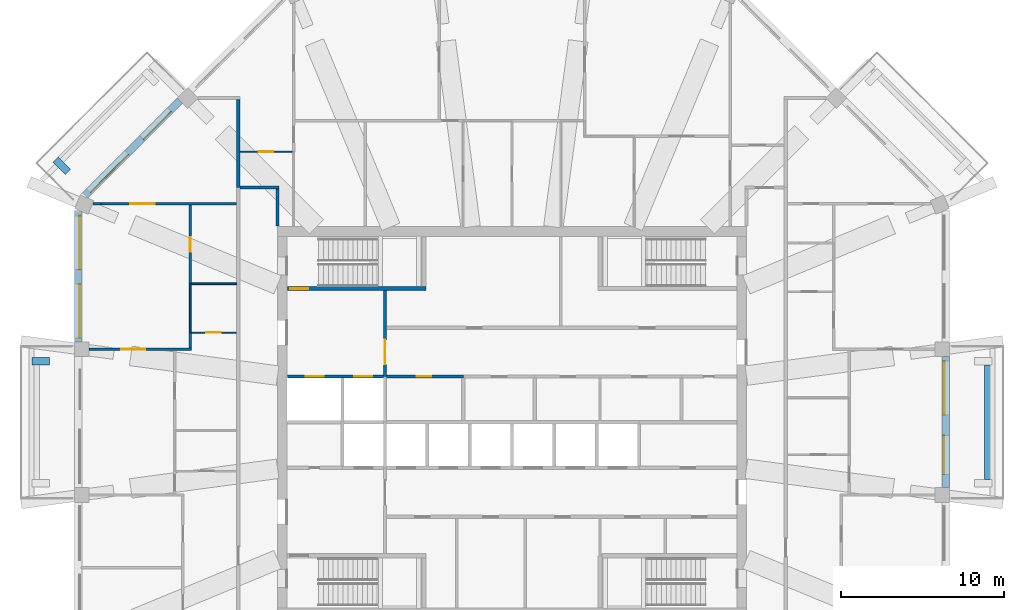
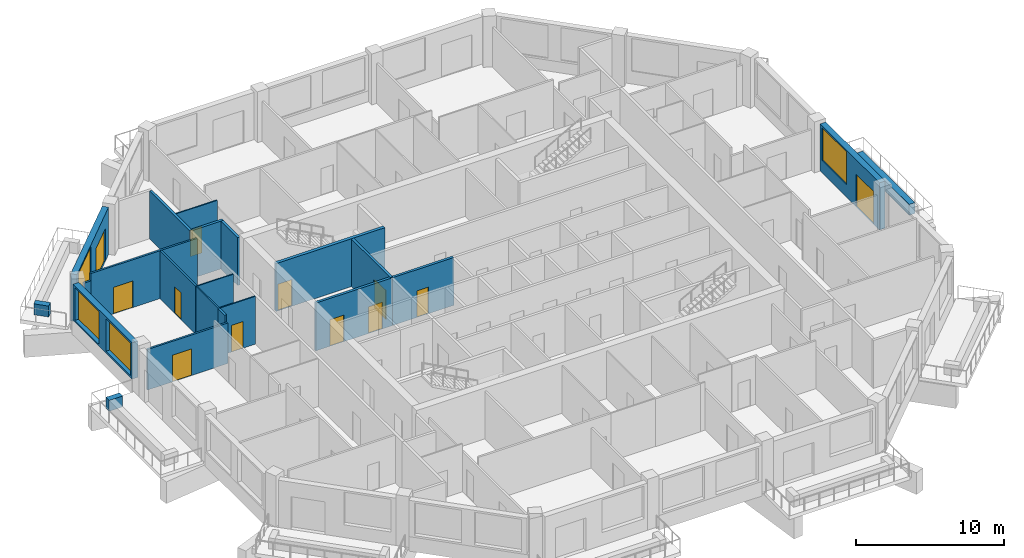
# One storey, part 7 of 12: 22 walls, 12 doors, 4 windows, 16 openings.
"""IFC4 building model written with IfcOpenShell, lengths in metres."""

from ifc_helpers import new_model, si_unit, direction, frame, frame_2d, origin, place, context, subcontext, project, spatial, rectangle, extrude, material, layer, layer_set, type_object, element, fill, save


model = new_model("IFC4")

# Units and contexts
model_context = context("Model", 3, precision=1e-05, world=origin(), true_north=direction((0.0, 1.0)))
body_context = subcontext(model_context, "Body", "Model", "MODEL_VIEW")
ifc_project = project(units=[si_unit("LENGTHUNIT", "METRE"), si_unit("AREAUNIT", "SQUARE_METRE"), si_unit("VOLUMEUNIT", "CUBIC_METRE"), si_unit("PLANEANGLEUNIT", "RADIAN"), si_unit("MASSUNIT", "GRAM", prefix="KILO")], contexts=[model_context])

# Site, building, storey
site_placement = place(None, origin())
site = spatial("IfcSite", under=ifc_project, at=site_placement, CompositionType="ELEMENT")
building_placement = place(site_placement, origin())
building = spatial("IfcBuilding", under=site, at=building_placement, Name="Msitu Wima Residences", CompositionType="ELEMENT")
storey_placement = place(building_placement, frame((0.0, 0.0, 213.89990234375)))
storey = spatial("IfcBuildingStorey", under=building, at=storey_placement, Name="L49", CompositionType="ELEMENT", Elevation=213.89990234375)

# Walls
ifc_material_1 = material(Name="Facing brick")
ifc_layer_1 = layer(ifc_material_1, 0.06494140625, Name="Facing brick")
ifc_material_2 = material(Name="Concrete C40/50", Category="concrete")
ifc_layer_2 = layer(ifc_material_2, 0.156005859375, Name="Concrete C40/50")
ifc_material_3 = material(Name="Waterproofing membrane")
ifc_layer_3 = layer(ifc_material_3, 0.00390625, Name="Waterproofing membrane")
ifc_material_4 = material(Name="Planting soil and planting")
ifc_layer_4 = layer(ifc_material_4, 0.22509765625, Name="Planting soil and planting")
ifc_layer_set_1 = layer_set([ifc_layer_1, ifc_layer_2, ifc_layer_3, ifc_layer_4], Name="Concrete C40/50")
wall_type_1 = type_object("IfcWallType", Name="Balcony planter PLANTER PL450", PredefinedType="USERDEFINED", material=ifc_layer_set_1)
wall_1_placement = place(storey_placement, frame((29.22509765625, -3.5185546875, 0.0), z_axis=(0.0, 0.0, 1.0), x_axis=(0.0, 1.0, 0.0)))
element("IfcWall", 1, at=wall_1_placement, inside=storey, type_object=wall_type_1, Name="Balcony planter E1 L49", ObjectType="PLANTER", PredefinedType="USERDEFINED", context=body_context, shape_type="SweptSolid", body=[
    extrude(rectangle(XDim=7.037109375, YDim=0.449951171875, at=frame_2d((3.5185546875, 0.0))), origin(), (0.0, 0.0, 1.0), 0.900146484375),
])
for number, where, z_axis, x_axis, name in (
    (2, (-27.26611328125, 15.3681640625, 0.0), (0.0, 0.0, 1.0), (-0.707223014731, 0.706990528533, 0.0), "Balcony planter NW1 L49"),
    (3, (-28.39990234375, 3.74365234375, 0.0), (0.0, 0.0, 1.0), (-1.0, 0.0, 0.0), "Balcony planter W1 L49"),
):
    element("IfcWall", number, at=place(storey_placement, frame(where, z_axis=z_axis, x_axis=x_axis)), inside=storey, type_object=wall_type_1, Name=name, ObjectType="PLANTER", PredefinedType="USERDEFINED", context=body_context, shape_type="SweptSolid", body=[
        extrude(rectangle(XDim=1.050048828125, YDim=0.449951171875, at=frame_2d((0.52490234375, 0.0))), origin(), (0.0, 0.0, 1.0), 0.900146484375),
    ])

# Wall, openings, door, window
ifc_material_5 = material(Name="Brick (red buff mix)", Category="masonry")
ifc_layer_5 = layer(ifc_material_5, 0.449951171875)
ifc_layer_set_2 = layer_set([ifc_layer_5], Name="Brick (red buff mix)")
wall_type_2 = type_object("IfcWallType", Name="Brick infill wall BW450", PredefinedType="SOLIDWALL", material=ifc_layer_set_2)
wall_2_placement = place(storey_placement, frame((26.625, -4.0185546875, 0.0), z_axis=(0.0, 0.0, 1.0), x_axis=(0.0, 1.0, 0.0)))
wall_2 = element("IfcWall", 4, at=wall_2_placement, inside=storey, type_object=wall_type_2, Name="Brick infill wall L49 E1", PredefinedType="SOLIDWALL", context=body_context, shape_type="SweptSolid", body=[
    extrude(rectangle(XDim=8.037109375, YDim=0.449951171875, at=frame_2d((4.0185546875, 0.0))), origin(), (0.0, 0.0, 1.0), 3.900146484375),
])
opening_1_placement = place(wall_2_placement, frame((0.809326171875, 0.0, 0.0)))
opening_1 = element("IfcOpeningElement", 5, at=opening_1_placement, cuts=wall_2, Name="Opening D49.001", PredefinedType="OPENING", context=body_context, shape_type="SweptSolid", body=[
    extrude(rectangle(XDim=2.39990234375, YDim=2.699951171875, at=frame_2d((1.199951171875, 1.35009765625))), frame((0.0, 0.23486328125, 0.0), z_axis=(0.0, -1.0, 0.0), x_axis=(1.0, 0.0, 0.0)), (0.0, 0.0, 1.0), 0.469970703125),
])
opening_2_placement = place(wall_2_placement, frame((4.46875, 0.0, 1.050048828125)))
opening_2 = element("IfcOpeningElement", 6, at=opening_2_placement, cuts=wall_2, Name="Opening W49.003", PredefinedType="OPENING", context=body_context, shape_type="SweptSolid", body=[
    extrude(rectangle(XDim=3.300048828125, YDim=2.699951171875, at=frame_2d((1.64990234375, 1.35009765625))), frame((0.0, 0.23486328125, 0.0), z_axis=(0.0, -1.0, 0.0), x_axis=(1.0, 0.0, 0.0)), (0.0, 0.0, 1.0), 0.469970703125),
])
ifc_material_6 = material(Name="Anodised aluminium, bronze finish, clear low-emissivity double glazing", Category="aluminium")
door_type_1 = type_object("IfcDoorType", Name="Balcony door D2400x2700", OperationType="SLIDING_TO_LEFT", PredefinedType="DOOR", material=ifc_material_6)
door_1_placement = place(opening_1_placement, origin())
door_1 = element("IfcDoor", 7, at=door_1_placement, inside=storey, type_object=door_type_1, Name="Balcony door L49 E1", OperationType="SINGLE_SWING_LEFT", OverallHeight=2.699951171875, OverallWidth=2.39990234375, PredefinedType="DOOR", context=body_context, shape_type="SweptSolid", body=[
    extrude(rectangle(XDim=2.39990234375, YDim=2.699951171875, at=frame_2d((1.199951171875, 1.35009765625))), frame((0.0, 0.1298828125, 0.0), z_axis=(0.0, -1.0, 0.0), x_axis=(1.0, 0.0, 0.0)), (0.0, 0.0, 1.0), 0.050048828125),
])
fill(opening_1, door_1)
window_type = type_object("IfcWindowType", Name="Window W3300x2700", PartitioningType="DOUBLE_PANEL_VERTICAL", PredefinedType="WINDOW", material=ifc_material_6)
window_1_placement = place(opening_2_placement, origin())
window_1 = element("IfcWindow", 8, at=window_1_placement, inside=storey, type_object=window_type, Name="Window L49 E1.2", OverallHeight=2.699951171875, OverallWidth=3.300048828125, PartitioningType="SINGLE_PANEL", PredefinedType="WINDOW", context=body_context, shape_type="SweptSolid", body=[
    extrude(rectangle(XDim=3.300048828125, YDim=2.699951171875, at=frame_2d((1.64990234375, 1.35009765625))), frame((0.0, 0.135009765625, 0.0), z_axis=(0.0, -1.0, 0.0), x_axis=(1.0, 0.0, 0.0)), (0.0, 0.0, 1.0), 0.06005859375),
])
fill(opening_2, window_1)

wall_3_placement = place(storey_placement, frame((-20.380126953125, 19.743896484375, 0.0), z_axis=(0.0, 0.0, 1.0), x_axis=(-0.707106781187, -0.707106781187, 0.0)))
wall_3 = element("IfcWall", 9, at=wall_3_placement, inside=storey, type_object=wall_type_2, Name="Brick infill wall L49 NW1", PredefinedType="SOLIDWALL", context=body_context, shape_type="SweptSolid", body=[
    extrude(rectangle(XDim=8.251220703125, YDim=0.449951171875, at=frame_2d((4.12548828125, 0.0))), origin(), (0.0, 0.0, 1.0), 3.900146484375),
])
opening_3_placement = place(wall_3_placement, frame((0.86279296875, 0.0, 0.0)))
opening_3 = element("IfcOpeningElement", 10, at=opening_3_placement, cuts=wall_3, Name="Opening D49.005", PredefinedType="OPENING", context=body_context, shape_type="SweptSolid", body=[
    extrude(rectangle(XDim=2.39990234375, YDim=2.699951171875, at=frame_2d((1.199951171875, 1.35009765625))), frame((0.0, 0.23486328125, 0.0), z_axis=(0.0, -1.0, 0.0), x_axis=(1.0, 0.0, 0.0)), (0.0, 0.0, 1.0), 0.469970703125),
])
opening_4_placement = place(wall_3_placement, frame((4.57568359375, 0.0, 1.050048828125)))
opening_4 = element("IfcOpeningElement", 11, at=opening_4_placement, cuts=wall_3, Name="Opening W49.015", PredefinedType="OPENING", context=body_context, shape_type="SweptSolid", body=[
    extrude(rectangle(XDim=3.300048828125, YDim=2.699951171875, at=frame_2d((1.64990234375, 1.35009765625))), frame((0.0, 0.23486328125, 0.0), z_axis=(0.0, -1.0, 0.0), x_axis=(1.0, 0.0, 0.0)), (0.0, 0.0, 1.0), 0.469970703125),
])
door_2_placement = place(opening_3_placement, origin())
door_2 = element("IfcDoor", 12, at=door_2_placement, inside=storey, type_object=door_type_1, Name="Balcony door L49 NW1", OperationType="SINGLE_SWING_LEFT", OverallHeight=2.699951171875, OverallWidth=2.39990234375, PredefinedType="DOOR", context=body_context, shape_type="SweptSolid", body=[
    extrude(rectangle(XDim=2.39990234375, YDim=2.699951171875, at=frame_2d((1.199951171875, 1.35009765625))), frame((0.0, 0.1298828125, 0.0), z_axis=(0.0, -1.0, 0.0), x_axis=(1.0, 0.0, 0.0)), (0.0, 0.0, 1.0), 0.050048828125),
])
fill(opening_3, door_2)
window_2_placement = place(opening_4_placement, origin())
window_2 = element("IfcWindow", 13, at=window_2_placement, inside=storey, type_object=window_type, Name="Window L49 NW1.2", OverallHeight=2.699951171875, OverallWidth=3.300048828125, PartitioningType="SINGLE_PANEL", PredefinedType="WINDOW", context=body_context, shape_type="SweptSolid", body=[
    extrude(rectangle(XDim=3.300048828125, YDim=2.699951171875, at=frame_2d((1.64990234375, 1.35009765625))), frame((0.0, 0.135009765625, 0.0), z_axis=(0.0, -1.0, 0.0), x_axis=(1.0, 0.0, 0.0)), (0.0, 0.0, 1.0), 0.06005859375),
])
fill(opening_4, window_2)

# Wall, openings, windows
wall_4_placement = place(storey_placement, frame((-26.625, 12.918701171875, 0.900146484375), z_axis=(0.0, 0.0, 1.0), x_axis=(0.0, -1.0, 0.0)))
wall_4 = element("IfcWall", 14, at=wall_4_placement, inside=storey, type_object=wall_type_2, Name="Brick infill wall L49 W0", PredefinedType="SOLIDWALL", context=body_context, shape_type="SweptSolid", body=[
    extrude(rectangle(XDim=8.0, YDim=0.449951171875, at=frame_2d((4.0, 0.0))), origin(), (0.0, 0.0, 1.0), 3.0),
])
opening_5_placement = place(wall_4_placement, frame((0.25, 0.0, 0.14990234375)))
opening_5 = element("IfcOpeningElement", 15, at=opening_5_placement, cuts=wall_4, Name="Opening W49.026", PredefinedType="OPENING", context=body_context, shape_type="SweptSolid", body=[
    extrude(rectangle(XDim=3.300048828125, YDim=2.699951171875, at=frame_2d((1.64990234375, 1.35009765625))), frame((0.0, 0.23486328125, 0.0), z_axis=(0.0, -1.0, 0.0), x_axis=(1.0, 0.0, 0.0)), (0.0, 0.0, 1.0), 0.469970703125),
])
opening_6_placement = place(wall_4_placement, frame((4.4501953125, 0.0, 0.14990234375)))
opening_6 = element("IfcOpeningElement", 16, at=opening_6_placement, cuts=wall_4, Name="Opening W49.027", PredefinedType="OPENING", context=body_context, shape_type="SweptSolid", body=[
    extrude(rectangle(XDim=3.300048828125, YDim=2.699951171875, at=frame_2d((1.64990234375, 1.35009765625))), frame((0.0, 0.23486328125, 0.0), z_axis=(0.0, -1.0, 0.0), x_axis=(1.0, 0.0, 0.0)), (0.0, 0.0, 1.0), 0.469970703125),
])
window_3_placement = place(opening_5_placement, origin())
window_3 = element("IfcWindow", 17, at=window_3_placement, inside=storey, type_object=window_type, Name="Window L49 W0.1", OverallHeight=2.699951171875, OverallWidth=3.300048828125, PartitioningType="SINGLE_PANEL", PredefinedType="WINDOW", context=body_context, shape_type="SweptSolid", body=[
    extrude(rectangle(XDim=3.300048828125, YDim=2.699951171875, at=frame_2d((1.64990234375, 1.35009765625))), frame((0.0, 0.135009765625, 0.0), z_axis=(0.0, -1.0, 0.0), x_axis=(1.0, 0.0, 0.0)), (0.0, 0.0, 1.0), 0.06005859375),
])
fill(opening_5, window_3)
window_4_placement = place(opening_6_placement, origin())
window_4 = element("IfcWindow", 18, at=window_4_placement, inside=storey, type_object=window_type, Name="Window L49 W0.2", OverallHeight=2.699951171875, OverallWidth=3.300048828125, PartitioningType="SINGLE_PANEL", PredefinedType="WINDOW", context=body_context, shape_type="SweptSolid", body=[
    extrude(rectangle(XDim=3.300048828125, YDim=2.699951171875, at=frame_2d((1.64990234375, 1.35009765625))), frame((0.0, 0.135009765625, 0.0), z_axis=(0.0, -1.0, 0.0), x_axis=(1.0, 0.0, 0.0)), (0.0, 0.0, 1.0), 0.06005859375),
])
fill(opening_6, window_4)

# Walls
ifc_material_7 = material(Name="Plaster")
ifc_layer_6 = layer(ifc_material_7, 0.011962890625, Name="Plaster")
ifc_material_8 = material(Name="Concrete blockwork", Category="masonry")
ifc_layer_7 = layer(ifc_material_8, 0.176025390625, Name="Concrete blockwork")
ifc_layer_8 = layer(ifc_material_7, 0.011962890625, Name="Plaster")
ifc_layer_set_3 = layer_set([ifc_layer_6, ifc_layer_7, ifc_layer_8], Name="Concrete blockwork")
wall_type_3 = type_object("IfcWallType", Name="Corridor wall FW200", PredefinedType="PARTITIONING", material=ifc_layer_set_3)
wall_5_placement = place(storey_placement, frame((-16.699951171875, 14.39990234375, 0.0), z_axis=(0.0, 0.0, 1.0), x_axis=(1.0, 0.0, 0.0)))
element("IfcWall", 19, at=wall_5_placement, inside=storey, type_object=wall_type_3, Name="Corridor wall", PredefinedType="PARTITIONING", context=body_context, shape_type="SweptSolid", body=[
    extrude(rectangle(XDim=2.39990234375, YDim=0.199951171875, at=frame_2d((1.199951171875, 0.0))), origin(), (0.0, 0.0, 1.0), 3.9501953125),
])
wall_6_placement = place(storey_placement, frame((-14.39990234375, 12.030029296875, 0.0), z_axis=(0.0, 0.0, 1.0), x_axis=(0.0, 1.0, 0.0)))
element("IfcWall", 20, at=wall_6_placement, inside=storey, type_object=wall_type_3, Name="Corridor wall", PredefinedType="PARTITIONING", context=body_context, shape_type="SweptSolid", body=[
    extrude(rectangle(XDim=2.27001953125, YDim=0.199951171875, at=frame_2d((1.135009765625, 0.0))), origin(), (0.0, 0.0, 1.0), 3.9501953125),
])

# Wall, opening, door
wall_7_placement = place(storey_placement, frame((-7.800048828125, 2.800048828125, 0.0), z_axis=(0.0, 0.0, 1.0), x_axis=(1.0, 0.0, 0.0)))
wall_7 = element("IfcWall", 21, at=wall_7_placement, inside=storey, type_object=wall_type_3, Name="Corridor wall", PredefinedType="PARTITIONING", context=body_context, shape_type="SweptSolid", body=[
    extrude(rectangle(XDim=4.820068359375, YDim=0.199951171875, at=frame_2d((2.41015625, 0.0))), origin(), (0.0, 0.0, 1.0), 3.9501953125),
])
opening_7_placement = place(wall_7_placement, frame((1.949951171875, 0.0, 0.0)))
opening_7 = element("IfcOpeningElement", 22, at=opening_7_placement, cuts=wall_7, Name="Opening D49.074", PredefinedType="OPENING", context=body_context, shape_type="SweptSolid", body=[
    extrude(rectangle(XDim=0.89990234375, YDim=2.199951171875, at=frame_2d((0.449951171875, 1.10009765625))), frame((0.0, 0.10986328125, 0.0), z_axis=(0.0, -1.0, 0.0), x_axis=(1.0, 0.0, 0.0)), (0.0, 0.0, 1.0), 0.219970703125),
])
ifc_material_9 = material(Name="Timber flush door", Category="wood")
door_type_2 = type_object("IfcDoorType", Name="Service door D05 900x2200", OperationType="SINGLE_SWING_LEFT", PredefinedType="DOOR", material=ifc_material_9)
door_3_placement = place(opening_7_placement, origin())
door_3 = element("IfcDoor", 23, at=door_3_placement, inside=storey, type_object=door_type_2, Name="Service door", OperationType="SINGLE_SWING_RIGHT", OverallHeight=2.199951171875, OverallWidth=0.89990234375, PredefinedType="DOOR", context=body_context, shape_type="SweptSolid", body=[
    extrude(rectangle(XDim=0.89990234375, YDim=2.199951171875, at=frame_2d((0.449951171875, 1.10009765625))), frame((0.0, 0.02490234375, 0.0), z_axis=(0.0, -1.0, 0.0), x_axis=(1.0, 0.0, 0.0)), (0.0, 0.0, 1.0), 0.050048828125),
])
fill(opening_7, door_3)

wall_8_placement = place(storey_placement, frame((-7.800048828125, 2.800048828125, 0.0), z_axis=(0.0, 0.0, 1.0), x_axis=(0.0, 1.0, 0.0)))
wall_8 = element("IfcWall", 24, at=wall_8_placement, inside=storey, type_object=wall_type_3, Name="Corridor wall", PredefinedType="PARTITIONING", context=body_context, shape_type="SweptSolid", body=[
    extrude(rectangle(XDim=5.27490234375, YDim=0.199951171875, at=frame_2d((2.637451171875, 0.0))), origin(), (0.0, 0.0, 1.0), 3.9501953125),
])
opening_8_placement = place(wall_8_placement, frame((0.75, 0.0, 0.0)))
opening_8 = element("IfcOpeningElement", 25, at=opening_8_placement, cuts=wall_8, Name="Opening D49.062", PredefinedType="OPENING", context=body_context, shape_type="SweptSolid", body=[
    extrude(rectangle(XDim=1.5, YDim=2.39990234375, at=frame_2d((0.75, 1.199951171875))), frame((0.0, 0.10986328125, 0.0), z_axis=(0.0, -1.0, 0.0), x_axis=(1.0, 0.0, 0.0)), (0.0, 0.0, 1.0), 0.219970703125),
])
ifc_material_10 = material(Name="Steel framed glazed door, fire resisting", Category="steel")
door_type_3 = type_object("IfcDoorType", Name="Lobby door D07 1500x2400", OperationType="DOUBLE_DOOR_SINGLE_SWING", PredefinedType="DOOR", material=ifc_material_10)
door_4_placement = place(opening_8_placement, origin())
door_4 = element("IfcDoor", 26, at=door_4_placement, inside=storey, type_object=door_type_3, Name="Lobby door", OperationType="DOUBLE_DOOR_SINGLE_SWING", OverallHeight=2.39990234375, OverallWidth=1.5, PredefinedType="DOOR", context=body_context, shape_type="SweptSolid", body=[
    extrude(rectangle(XDim=1.5, YDim=2.39990234375, at=frame_2d((0.75, 1.199951171875))), frame((0.0, 0.02490234375, 0.0), z_axis=(0.0, -1.0, 0.0), x_axis=(1.0, 0.0, 0.0)), (0.0, 0.0, 1.0), 0.050048828125),
])
fill(opening_8, door_4)

ifc_layer_9 = layer(ifc_material_7, 0.011962890625, Name="Plaster")
ifc_layer_10 = layer(ifc_material_8, 0.1259765625, Name="Concrete blockwork")
ifc_layer_11 = layer(ifc_material_7, 0.011962890625, Name="Plaster")
ifc_layer_set_4 = layer_set([ifc_layer_9, ifc_layer_10, ifc_layer_11], Name="Concrete blockwork")
wall_type_4 = type_object("IfcWallType", Name="Partition PW150", PredefinedType="PARTITIONING", material=ifc_layer_set_4)
wall_9_placement = place(storey_placement, frame((-25.949951171875, 4.46875, 0.0), z_axis=(0.0, 0.0, 1.0), x_axis=(1.0, 0.0, 0.0)))
wall_9 = element("IfcWall", 27, at=wall_9_placement, inside=storey, type_object=wall_type_4, Name="Partition", PredefinedType="PARTITIONING", context=body_context, shape_type="SweptSolid", body=[
    extrude(rectangle(XDim=6.27490234375, YDim=0.14990234375, at=frame_2d((3.137451171875, 0.0))), origin(), (0.0, 0.0, 1.0), 3.35009765625),
])
opening_9_placement = place(wall_9_placement, frame((1.949951171875, 0.0, 0.0)))
opening_9 = element("IfcOpeningElement", 28, at=opening_9_placement, cuts=wall_9, Name="Opening D49.042", PredefinedType="OPENING", context=body_context, shape_type="SweptSolid", body=[
    extrude(rectangle(XDim=1.5, YDim=2.199951171875, at=frame_2d((0.75, 1.10009765625))), frame((0.0, 0.0849609375, 0.0), z_axis=(0.0, -1.0, 0.0), x_axis=(1.0, 0.0, 0.0)), (0.0, 0.0, 1.0), 0.169921875),
])
ifc_material_11 = material(Name="Timber double door", Category="wood")
door_type_4 = type_object("IfcDoorType", Name="Double door D04 1500x2200", OperationType="DOUBLE_DOOR_SINGLE_SWING", PredefinedType="DOOR", material=ifc_material_11)
door_5_placement = place(opening_9_placement, origin())
door_5 = element("IfcDoor", 29, at=door_5_placement, inside=storey, type_object=door_type_4, Name="Double door", OperationType="DOUBLE_DOOR_SINGLE_SWING", OverallHeight=2.199951171875, OverallWidth=1.5, PredefinedType="DOOR", context=body_context, shape_type="SweptSolid", body=[
    extrude(rectangle(XDim=1.5, YDim=2.199951171875, at=frame_2d((0.75, 1.10009765625))), frame((0.0, 0.02490234375, 0.0), z_axis=(0.0, -1.0, 0.0), x_axis=(1.0, 0.0, 0.0)), (0.0, 0.0, 1.0), 0.050048828125),
])
fill(opening_9, door_5)

# Wall
wall_10_placement = place(storey_placement, frame((-25.731201171875, 13.406005859375, 0.0), z_axis=(0.0, 0.0, 1.0), x_axis=(1.0, 0.0, 0.0)))
element("IfcWall", 30, at=wall_10_placement, inside=storey, type_object=wall_type_4, Name="Partition", PredefinedType="PARTITIONING", context=body_context, shape_type="SweptSolid", body=[
    extrude(rectangle(XDim=0.507080078125, YDim=0.14990234375, at=frame_2d((0.25341796875, 0.0))), origin(), (0.0, 0.0, 1.0), 3.35009765625),
])

# Wall, opening, door
wall_11_placement = place(storey_placement, frame((-25.22412109375, 13.406005859375, 0.0), z_axis=(0.0, 0.0, 1.0), x_axis=(1.0, 0.0, 0.0)))
wall_11 = element("IfcWall", 31, at=wall_11_placement, inside=storey, type_object=wall_type_4, Name="Partition", PredefinedType="PARTITIONING", context=body_context, shape_type="SweptSolid", body=[
    extrude(rectangle(XDim=8.32421875, YDim=0.14990234375, at=frame_2d((4.162109375, 0.0))), origin(), (0.0, 0.0, 1.0), 3.9501953125),
])
opening_10_placement = place(wall_11_placement, frame((1.79296875, 0.0, 0.0)))
opening_10 = element("IfcOpeningElement", 32, at=opening_10_placement, cuts=wall_11, Name="Opening D49.043", PredefinedType="OPENING", context=body_context, shape_type="SweptSolid", body=[
    extrude(rectangle(XDim=1.5, YDim=2.199951171875, at=frame_2d((0.75, 1.10009765625))), frame((0.0, 0.0849609375, 0.0), z_axis=(0.0, -1.0, 0.0), x_axis=(1.0, 0.0, 0.0)), (0.0, 0.0, 1.0), 0.169921875),
])
door_6_placement = place(opening_10_placement, origin())
door_6 = element("IfcDoor", 33, at=door_6_placement, inside=storey, type_object=door_type_4, Name="Double door", OperationType="DOUBLE_DOOR_SINGLE_SWING", OverallHeight=2.199951171875, OverallWidth=1.5, PredefinedType="DOOR", context=body_context, shape_type="SweptSolid", body=[
    extrude(rectangle(XDim=1.5, YDim=2.199951171875, at=frame_2d((0.75, 1.10009765625))), frame((0.0, 0.02490234375, 0.0), z_axis=(0.0, -1.0, 0.0), x_axis=(1.0, 0.0, 0.0)), (0.0, 0.0, 1.0), 0.050048828125),
])
fill(opening_10, door_6)

# Wall
wall_12_placement = place(storey_placement, frame((-19.75, 4.543701171875, 0.0), z_axis=(0.0, 0.0, 1.0), x_axis=(0.0, 1.0, 0.0)))
element("IfcWall", 34, at=wall_12_placement, inside=storey, type_object=wall_type_4, Name="Partition", PredefinedType="PARTITIONING", context=body_context, shape_type="SweptSolid", body=[
    extrude(rectangle(XDim=0.936279296875, YDim=0.14990234375, at=frame_2d((0.46826171875, 0.0))), origin(), (0.0, 0.0, 1.0), 3.9501953125),
])

# Wall, opening, door
wall_13_placement = place(storey_placement, frame((-19.75, 8.5, 0.0), z_axis=(0.0, 0.0, 1.0), x_axis=(0.0, 1.0, 0.0)))
wall_13 = element("IfcWall", 35, at=wall_13_placement, inside=storey, type_object=wall_type_4, Name="Partition", PredefinedType="PARTITIONING", context=body_context, shape_type="SweptSolid", body=[
    extrude(rectangle(XDim=4.830810546875, YDim=0.14990234375, at=frame_2d((2.41552734375, 0.0))), origin(), (0.0, 0.0, 1.0), 3.9501953125),
])
opening_11_placement = place(wall_13_placement, frame((1.949951171875, 0.0, 0.0)))
opening_11 = element("IfcOpeningElement", 36, at=opening_11_placement, cuts=wall_13, Name="Opening D49.037", PredefinedType="OPENING", context=body_context, shape_type="SweptSolid", body=[
    extrude(rectangle(XDim=0.89990234375, YDim=2.199951171875, at=frame_2d((0.449951171875, 1.10009765625))), frame((0.0, 0.0849609375, 0.0), z_axis=(0.0, -1.0, 0.0), x_axis=(1.0, 0.0, 0.0)), (0.0, 0.0, 1.0), 0.169921875),
])
door_7_placement = place(opening_11_placement, origin())
door_7 = element("IfcDoor", 37, at=door_7_placement, inside=storey, type_object=door_type_2, Name="Service door", OperationType="SINGLE_SWING_RIGHT", OverallHeight=2.199951171875, OverallWidth=0.89990234375, PredefinedType="DOOR", context=body_context, shape_type="SweptSolid", body=[
    extrude(rectangle(XDim=0.89990234375, YDim=2.199951171875, at=frame_2d((0.449951171875, 1.10009765625))), frame((0.0, 0.02490234375, 0.0), z_axis=(0.0, -1.0, 0.0), x_axis=(1.0, 0.0, 0.0)), (0.0, 0.0, 1.0), 0.050048828125),
])
fill(opening_11, door_7)

# Wall
ifc_layer_12 = layer(ifc_material_7, 0.011962890625, Name="Plaster")
ifc_material_12 = material(Name="Dense concrete blockwork", Category="masonry")
ifc_layer_13 = layer(ifc_material_12, 0.176025390625, Name="Dense concrete blockwork")
ifc_layer_14 = layer(ifc_material_7, 0.011962890625, Name="Plaster")
ifc_layer_set_5 = layer_set([ifc_layer_12, ifc_layer_13, ifc_layer_14], Name="Dense concrete blockwork")
wall_type_5 = type_object("IfcWallType", Name="Party wall PW200", PredefinedType="PARTITIONING", material=ifc_layer_set_5)
wall_14_placement = place(storey_placement, frame((-16.800048828125, 14.39990234375, 0.0), z_axis=(0.0, 0.0, 1.0), x_axis=(0.0, 1.0, 0.0)))
element("IfcWall", 38, at=wall_14_placement, inside=storey, type_object=wall_type_5, Name="Party wall", PredefinedType="PARTITIONING", context=body_context, shape_type="SweptSolid", body=[
    extrude(rectangle(XDim=5.403076171875, YDim=0.199951171875, at=frame_2d((2.70166015625, 0.0))), origin(), (0.0, 0.0, 1.0), 3.9501953125),
])

# Wall, openings, doors
ifc_material_13 = material(Name="Fire-rated board")
ifc_layer_15 = layer(ifc_material_13, 0.02490234375, Name="Fire-rated board")
ifc_material_14 = material(Name="Light-gauge stud framing with mineral wool")
ifc_layer_16 = layer(ifc_material_14, 0.14990234375, Name="Light-gauge stud framing with mineral wool")
ifc_layer_17 = layer(ifc_material_13, 0.02490234375, Name="Fire-rated board")
ifc_layer_set_6 = layer_set([ifc_layer_15, ifc_layer_16, ifc_layer_17], Name="Light-gauge stud framing with mineral wool")
wall_type_6 = type_object("IfcWallType", Name="Shaft wall SH200", PredefinedType="PARTITIONING", material=ifc_layer_set_6)
wall_15_placement = place(storey_placement, frame((-13.77001953125, 2.800048828125, 0.0), z_axis=(0.0, 0.0, 1.0), x_axis=(1.0, 0.0, 0.0)))
wall_15 = element("IfcWall", 39, at=wall_15_placement, inside=storey, type_object=wall_type_6, Name="Shaft wall", PredefinedType="PARTITIONING", context=body_context, shape_type="SweptSolid", body=[
    extrude(rectangle(XDim=5.969970703125, YDim=0.199951171875, at=frame_2d((2.98486328125, 0.0))), origin(), (0.0, 0.0, 1.0), 3.9501953125),
])
opening_12_placement = place(wall_15_placement, frame((1.10009765625, 0.0, 0.0)))
opening_12 = element("IfcOpeningElement", 40, at=opening_12_placement, cuts=wall_15, Name="Opening LD", PredefinedType="OPENING", context=body_context, shape_type="SweptSolid", body=[
    extrude(rectangle(XDim=1.10009765625, YDim=2.199951171875, at=frame_2d((0.550048828125, 1.10009765625))), frame((0.0, 0.10986328125, 0.0), z_axis=(0.0, -1.0, 0.0), x_axis=(1.0, 0.0, 0.0)), (0.0, 0.0, 1.0), 0.219970703125),
])
opening_13_placement = place(wall_15_placement, frame((4.10009765625, 0.0, 0.0)))
opening_13 = element("IfcOpeningElement", 41, at=opening_13_placement, cuts=wall_15, Name="Opening LD", PredefinedType="OPENING", context=body_context, shape_type="SweptSolid", body=[
    extrude(rectangle(XDim=1.10009765625, YDim=2.199951171875, at=frame_2d((0.550048828125, 1.10009765625))), frame((0.0, 0.10986328125, 0.0), z_axis=(0.0, -1.0, 0.0), x_axis=(1.0, 0.0, 0.0)), (0.0, 0.0, 1.0), 0.219970703125),
])
ifc_material_15 = material(Name="Stainless steel centre-opening landing door, rated", Category="steel")
door_type_5 = type_object("IfcDoorType", Name="Lift landing door LD 1100x2200", OperationType="DOUBLE_DOOR_SLIDING", PredefinedType="DOOR", material=ifc_material_15)
door_8_placement = place(opening_12_placement, origin())
door_8 = element("IfcDoor", 42, at=door_8_placement, inside=storey, type_object=door_type_5, Name="Lift landing door LD1", OperationType="DOUBLE_DOOR_SLIDING", OverallHeight=2.199951171875, OverallWidth=1.10009765625, PredefinedType="DOOR", context=body_context, shape_type="SweptSolid", body=[
    extrude(rectangle(XDim=1.10009765625, YDim=2.199951171875, at=frame_2d((0.550048828125, 1.10009765625))), frame((0.0, 0.02490234375, 0.0), z_axis=(0.0, -1.0, 0.0), x_axis=(1.0, 0.0, 0.0)), (0.0, 0.0, 1.0), 0.050048828125),
])
fill(opening_12, door_8)
door_9_placement = place(opening_13_placement, origin())
door_9 = element("IfcDoor", 43, at=door_9_placement, inside=storey, type_object=door_type_5, Name="Lift landing door LD2", OperationType="DOUBLE_DOOR_SLIDING", OverallHeight=2.199951171875, OverallWidth=1.10009765625, PredefinedType="DOOR", context=body_context, shape_type="SweptSolid", body=[
    extrude(rectangle(XDim=1.10009765625, YDim=2.199951171875, at=frame_2d((0.550048828125, 1.10009765625))), frame((0.0, 0.02490234375, 0.0), z_axis=(0.0, -1.0, 0.0), x_axis=(1.0, 0.0, 0.0)), (0.0, 0.0, 1.0), 0.050048828125),
])
fill(opening_13, door_9)

# Wall, opening, door
ifc_material_16 = material(Name="Concrete C50/60", Category="concrete")
ifc_layer_18 = layer(ifc_material_16, 0.25)
ifc_layer_set_7 = layer_set([ifc_layer_18], Name="Concrete C50/60")
wall_type_7 = type_object("IfcWallType", Name="Stair enclosure wall SW250", PredefinedType="SHEAR", material=ifc_layer_set_7)
wall_16_placement = place(storey_placement, frame((-13.77001953125, 8.199951171875, 0.0), z_axis=(0.0, 0.0, 1.0), x_axis=(1.0, 0.0, 0.0)))
wall_16 = element("IfcWall", 44, at=wall_16_placement, inside=storey, type_object=wall_type_7, Name="Stair enclosure wall", PredefinedType="SHEAR", context=body_context, shape_type="SweptSolid", body=[
    extrude(rectangle(XDim=8.4951171875, YDim=0.25, at=frame_2d((4.24755859375, 0.0))), origin(), (0.0, 0.0, 1.0), 3.9501953125),
])
opening_14_placement = place(wall_16_placement, frame((0.14990234375, 0.0, 0.0)))
opening_14 = element("IfcOpeningElement", 45, at=opening_14_placement, cuts=wall_16, Name="Opening D49.081", PredefinedType="OPENING", context=body_context, shape_type="SweptSolid", body=[
    extrude(rectangle(XDim=1.10009765625, YDim=2.199951171875, at=frame_2d((0.550048828125, 1.10009765625))), frame((0.0, 0.135009765625, 0.0), z_axis=(0.0, -1.0, 0.0), x_axis=(1.0, 0.0, 0.0)), (0.0, 0.0, 1.0), 0.27001953125),
])
ifc_material_17 = material(Name="Steel door, fire resisting, panic bar", Category="steel")
door_type_6 = type_object("IfcDoorType", Name="Stair door D06 1100x2200", OperationType="SINGLE_SWING_LEFT", PredefinedType="DOOR", material=ifc_material_17)
door_10_placement = place(opening_14_placement, origin())
door_10 = element("IfcDoor", 46, at=door_10_placement, inside=storey, type_object=door_type_6, Name="Stair door", OperationType="SINGLE_SWING_LEFT", OverallHeight=2.199951171875, OverallWidth=1.10009765625, PredefinedType="DOOR", context=body_context, shape_type="SweptSolid", body=[
    extrude(rectangle(XDim=1.10009765625, YDim=2.199951171875, at=frame_2d((0.550048828125, 1.10009765625))), frame((0.0, 0.02490234375, 0.0), z_axis=(0.0, -1.0, 0.0), x_axis=(1.0, 0.0, 0.0)), (0.0, 0.0, 1.0), 0.050048828125),
])
fill(opening_14, door_10)

# Wall
ifc_material_18 = material(Name="Ceramic tiles")
ifc_layer_19 = layer(ifc_material_18, 0.008056640625, Name="Ceramic tiles")
ifc_material_19 = material(Name="Moisture-resistant board")
ifc_layer_20 = layer(ifc_material_19, 0.012451171875, Name="Moisture-resistant board")
ifc_layer_21 = layer(ifc_material_14, 0.06689453125, Name="Light-gauge stud framing with mineral wool")
ifc_layer_22 = layer(ifc_material_19, 0.012451171875, Name="Moisture-resistant board")
ifc_layer_set_8 = layer_set([ifc_layer_19, ifc_layer_20, ifc_layer_21, ifc_layer_22], Name="Light-gauge stud framing with mineral wool")
wall_type_8 = type_object("IfcWallType", Name="Wet wall PW100", PredefinedType="PARTITIONING", material=ifc_layer_set_8)
wall_17_placement = place(storey_placement, frame((-19.75, 5.47998046875, 0.0), z_axis=(0.0, 0.0, 1.0), x_axis=(0.0, 1.0, 0.0)))
element("IfcWall", 47, at=wall_17_placement, inside=storey, type_object=wall_type_8, Name="Wet wall", PredefinedType="PARTITIONING", context=body_context, shape_type="SweptSolid", body=[
    extrude(rectangle(XDim=3.02001953125, YDim=0.10009765625, at=frame_2d((1.510009765625, 0.0))), origin(), (0.0, 0.0, 1.0), 3.9501953125),
])

# Wall, opening, door
wall_18_placement = place(storey_placement, frame((-19.675048828125, 5.5, 0.0), z_axis=(0.0, 0.0, 1.0), x_axis=(1.0, 0.0, 0.0)))
wall_18 = element("IfcWall", 48, at=wall_18_placement, inside=storey, type_object=wall_type_8, Name="Wet wall", PredefinedType="PARTITIONING", context=body_context, shape_type="SweptSolid", body=[
    extrude(rectangle(XDim=2.775146484375, YDim=0.10009765625, at=frame_2d((1.3876953125, 0.0))), origin(), (0.0, 0.0, 1.0), 3.9501953125),
])
opening_15_placement = place(wall_18_placement, frame((0.89990234375, 0.0, 0.0)))
opening_15 = element("IfcOpeningElement", 49, at=opening_15_placement, cuts=wall_18, Name="Opening D49.045", PredefinedType="OPENING", context=body_context, shape_type="SweptSolid", body=[
    extrude(rectangle(XDim=0.89990234375, YDim=2.199951171875, at=frame_2d((0.449951171875, 1.10009765625))), frame((0.0, 0.06005859375, 0.0), z_axis=(0.0, -1.0, 0.0), x_axis=(1.0, 0.0, 0.0)), (0.0, 0.0, 1.0), 0.1201171875),
])
door_11_placement = place(opening_15_placement, origin())
door_11 = element("IfcDoor", 50, at=door_11_placement, inside=storey, type_object=door_type_2, Name="Service door", OperationType="SINGLE_SWING_RIGHT", OverallHeight=2.199951171875, OverallWidth=0.89990234375, PredefinedType="DOOR", context=body_context, shape_type="SweptSolid", body=[
    extrude(rectangle(XDim=0.89990234375, YDim=2.199951171875, at=frame_2d((0.449951171875, 1.10009765625))), frame((0.0, 0.02490234375, 0.0), z_axis=(0.0, -1.0, 0.0), x_axis=(1.0, 0.0, 0.0)), (0.0, 0.0, 1.0), 0.050048828125),
])
fill(opening_15, door_11)

# Wall
wall_19_placement = place(storey_placement, frame((-19.675048828125, 8.5, 0.0), z_axis=(0.0, 0.0, 1.0), x_axis=(1.0, 0.0, 0.0)))
element("IfcWall", 51, at=wall_19_placement, inside=storey, type_object=wall_type_8, Name="Wet wall", PredefinedType="PARTITIONING", context=body_context, shape_type="SweptSolid", body=[
    extrude(rectangle(XDim=2.775146484375, YDim=0.10009765625, at=frame_2d((1.3876953125, 0.0))), origin(), (0.0, 0.0, 1.0), 3.9501953125),
])

# Wall, opening, door
wall_20_placement = place(storey_placement, frame((-16.699951171875, 16.60009765625, 0.0), z_axis=(0.0, 0.0, 1.0), x_axis=(1.0, 0.0, 0.0)))
wall_20 = element("IfcWall", 52, at=wall_20_placement, inside=storey, type_object=wall_type_8, Name="Wet wall", PredefinedType="PARTITIONING", context=body_context, shape_type="SweptSolid", body=[
    extrude(rectangle(XDim=3.218994140625, YDim=0.10009765625, at=frame_2d((1.609375, 0.0))), origin(), (0.0, 0.0, 1.0), 3.9501953125),
])
opening_16_placement = place(wall_20_placement, frame((1.14990234375, 0.0, 0.0)))
opening_16 = element("IfcOpeningElement", 53, at=opening_16_placement, cuts=wall_20, Name="Opening D49.026", PredefinedType="OPENING", context=body_context, shape_type="SweptSolid", body=[
    extrude(rectangle(XDim=0.89990234375, YDim=2.199951171875, at=frame_2d((0.449951171875, 1.10009765625))), frame((0.0, 0.06005859375, 0.0), z_axis=(0.0, -1.0, 0.0), x_axis=(1.0, 0.0, 0.0)), (0.0, 0.0, 1.0), 0.1201171875),
])
ifc_material_20 = material(Name="Timber flush door, moisture resistant", Category="wood")
door_type_7 = type_object("IfcDoorType", Name="Bathroom door D03 900x2200", OperationType="SINGLE_SWING_LEFT", PredefinedType="DOOR", material=ifc_material_20)
door_12_placement = place(opening_16_placement, origin())
door_12 = element("IfcDoor", 54, at=door_12_placement, inside=storey, type_object=door_type_7, Name="Bathroom door", OperationType="SINGLE_SWING_RIGHT", OverallHeight=2.199951171875, OverallWidth=0.89990234375, PredefinedType="DOOR", context=body_context, shape_type="SweptSolid", body=[
    extrude(rectangle(XDim=0.89990234375, YDim=2.199951171875, at=frame_2d((0.449951171875, 1.10009765625))), frame((0.0, 0.02490234375, 0.0), z_axis=(0.0, -1.0, 0.0), x_axis=(1.0, 0.0, 0.0)), (0.0, 0.0, 1.0), 0.050048828125),
])
fill(opening_16, door_12)

save(model, "model.ifc")
